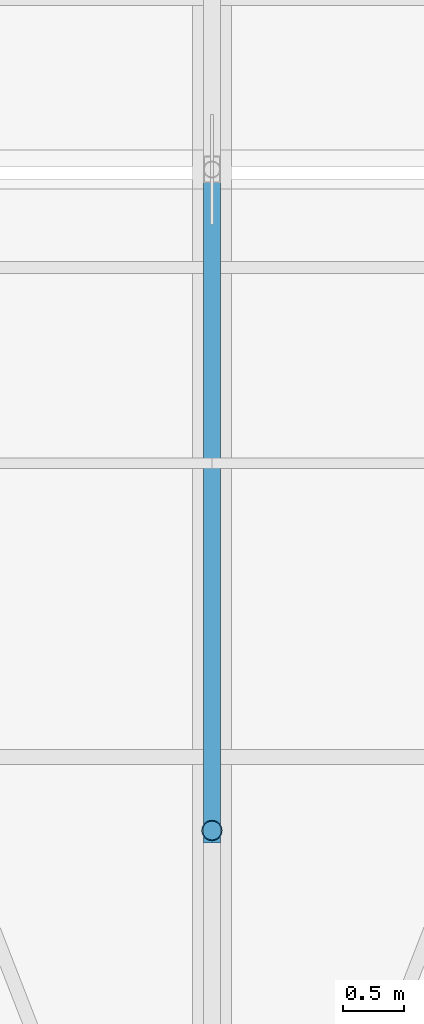
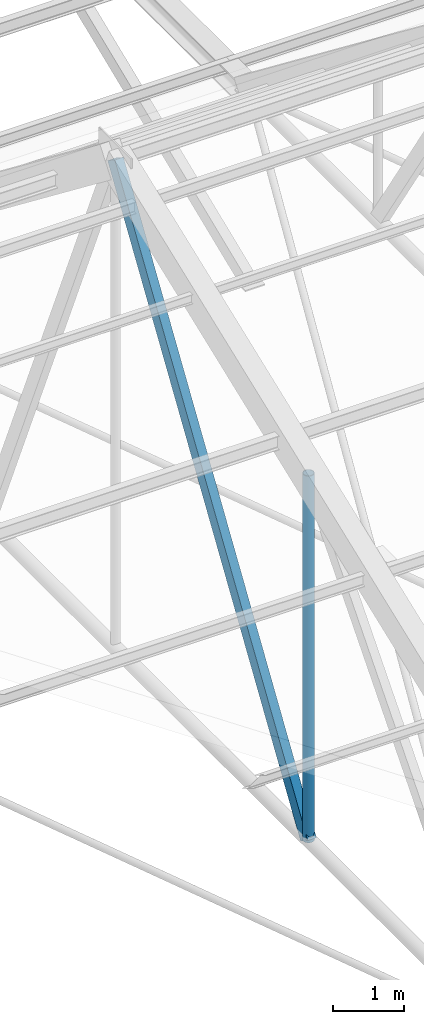
# One storey, part 75 of 217: 2 members.
"""IFC4 building model written with IfcOpenShell, lengths in metres."""

from ifc_helpers import new_model, si_unit, direction, frame, origin, origin_2d, place, context, subcontext, project, spatial, hollow_rectangle, hollow_circle, extrude, material, material_profile, profile_set, type_object, element, save


model = new_model("IFC4")

# Units and contexts
model_context = context("Model", 3, precision=1e-05, world=origin(), true_north=direction((0.0, 1.0)))
body_context = subcontext(model_context, "Body", "Model", "MODEL_VIEW")
ifc_project = project(units=[si_unit("LENGTHUNIT", "METRE"), si_unit("AREAUNIT", "SQUARE_METRE"), si_unit("VOLUMEUNIT", "CUBIC_METRE"), si_unit("PLANEANGLEUNIT", "RADIAN"), si_unit("MASSUNIT", "GRAM", prefix="KILO")], contexts=[model_context])

# Site, building, storey
site_placement = place(None, origin())
site = spatial("IfcSite", under=ifc_project, at=site_placement, CompositionType="ELEMENT")
building_placement = place(site_placement, origin())
building = spatial("IfcBuilding", under=site, at=building_placement, Name="Mazaris Harbour Polytechnic", CompositionType="ELEMENT")
storey_placement = place(building_placement, frame((0.0, 0.0, 9.60009765625)))
storey = spatial("IfcBuildingStorey", under=building, at=storey_placement, Name="L02", CompositionType="ELEMENT", Elevation=9.60009765625)

# Members
ifc_material_1 = material(Name="Steel S355", Category="steel")
ifc_material_profile_1 = material_profile(ifc_material_1, hollow_rectangle(XDim=0.139892578125, YDim=0.239990234375, WallThickness=0.010009765625, at=origin_2d()), Name="RHS 140x240x10.0")
ifc_profile_set_1 = profile_set([ifc_material_profile_1], Name="Steel S355")
member_type_1 = type_object("IfcMemberType", Name="Steel Truss Diagonal RHS140x240", PredefinedType="BRACE", material=ifc_profile_set_1)
member_1_placement = place(storey_placement, frame((62.39990234375, 91.800048828125, 3.75), z_axis=(0.0, 0.543042568824, 0.839705167571), x_axis=(-1.0, 0.0, 0.0)))
element("IfcMember", 1, at=member_1_placement, inside=storey, type_object=member_type_1, Name="Truss 2 Web Diagonal S4", PredefinedType="BRACE", context=body_context, shape_type="SweptSolid", body=[
    extrude(hollow_rectangle(XDim=0.139892578125, YDim=0.239990234375, WallThickness=0.010009765625, at=origin_2d()), origin(), (0.0, 0.0, 1.0), 9.94384765625),
])
ifc_material_2 = material(Name="Steel S355", Category="steel")
ifc_material_profile_2 = material_profile(ifc_material_2, hollow_circle(Radius=0.084228515625, WallThickness=0.008056640625, at=origin_2d()), Name="CHS 168.3x8.0")
ifc_profile_set_2 = profile_set([ifc_material_profile_2], Name="Steel S355")
member_type_2 = type_object("IfcMemberType", Name="Steel Truss Strut CHS168", PredefinedType="STRUT", material=ifc_profile_set_2)
member_2_placement = place(storey_placement, frame((62.39990234375, 91.800048828125, 3.75), z_axis=(0.0, 0.0, 1.0), x_axis=(1.0, 0.0, 0.0)))
element("IfcMember", 2, at=member_2_placement, inside=storey, type_object=member_type_2, Name="Truss 2 Web Post S3", PredefinedType="STRUT", context=body_context, shape_type="SweptSolid", body=[
    extrude(hollow_circle(Radius=0.084228515625, WallThickness=0.008056640625, at=origin_2d()), origin(), (0.0, 0.0, 1.0), 6.262451171875),
])

save(model, "model.ifc")
